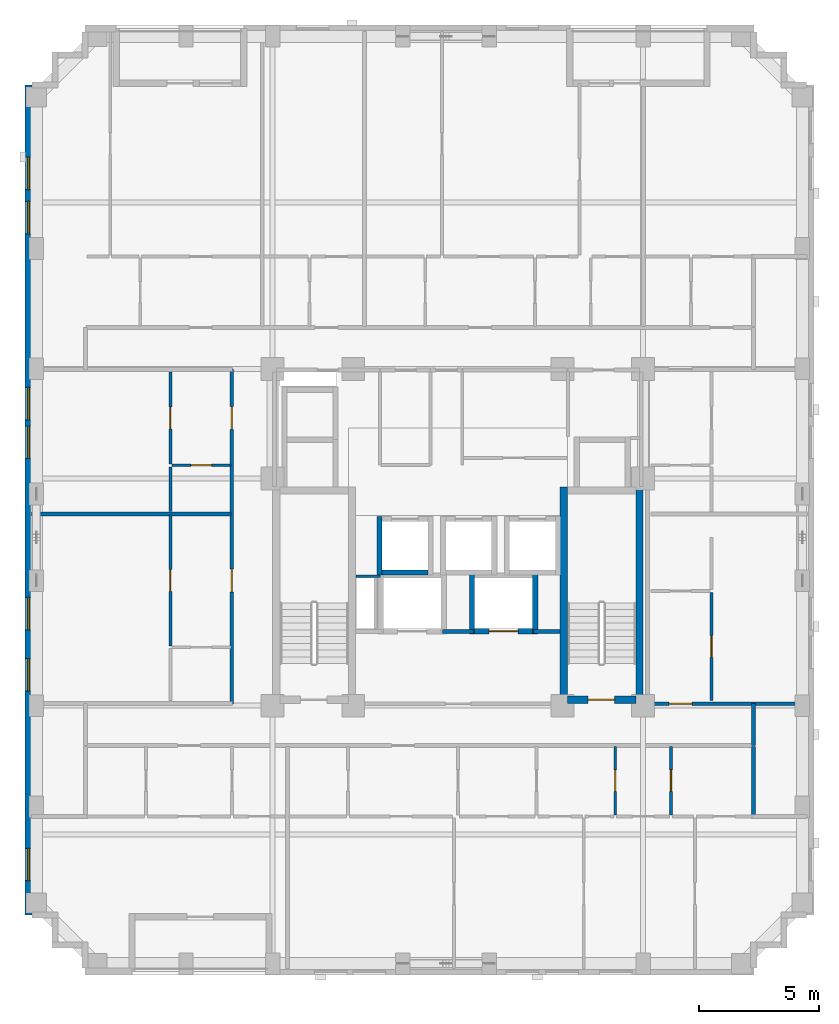
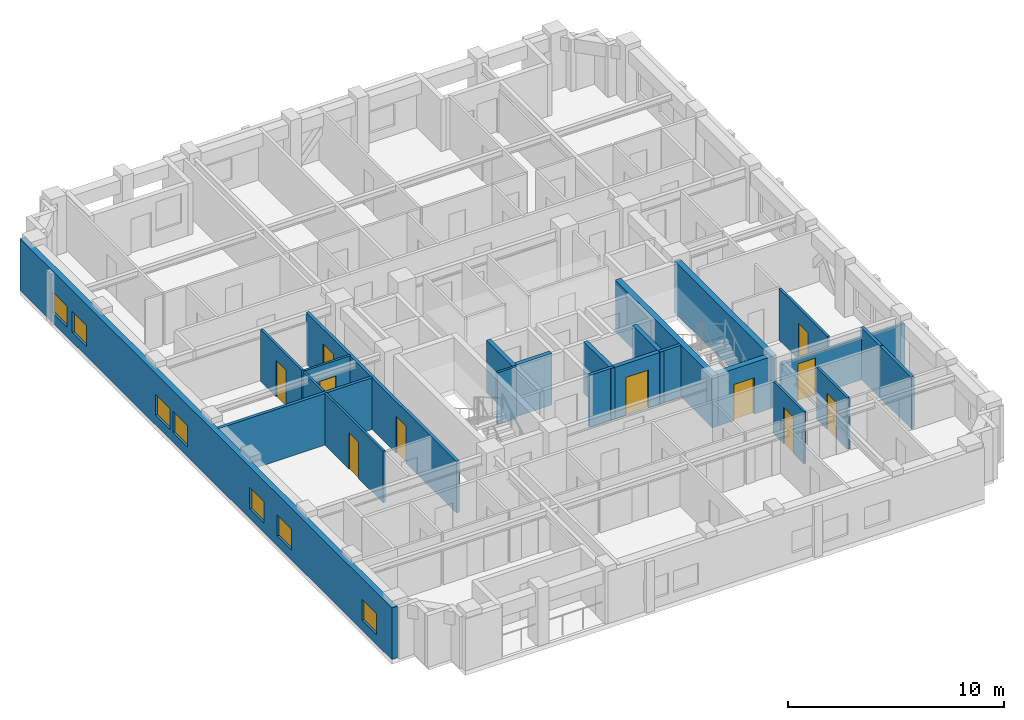
# One storey, part 4 of 11: 24 walls, 11 doors, 7 windows, 18 openings.
"""IFC4 building model written with IfcOpenShell, lengths in metres."""

import ifcopenshell
import ifcopenshell.guid

model = None  # the IFC model being written
_history = None  # IfcOwnerHistory: only IFC2X3 demands one
_inside = {}  # id of a spatial element -> (the spatial element, [elements in it])
_under = {}  # id of a project, library or spatial element -> (it, [spatial elements below it])
_declared = {}  # id of a project -> (the project, [libraries it declares])
_typed = {}  # id of a type object -> (the type object, [elements of that type])
_made_of = {}  # id of a material, layer set ... -> (it, [elements and type objects made of it])


def new_model(schema):
    """Start an empty IFC model of exactly this schema.

    Asked for "IFC4X3", IfcOpenShell would pick the latest addendum, in which some entities
    have other attributes; the version numbers below select the first issue.
    IFC2X3 requires an IfcOwnerHistory on every rooted entity: one is made here for all.
    """
    global model, _history
    if schema == "IFC4X3":
        model = ifcopenshell.file(schema_version=(4, 3, 0, 0))
    else:
        model = ifcopenshell.file(schema=schema)
    _inside.clear()
    _under.clear()
    _declared.clear()
    _typed.clear()
    _made_of.clear()
    _history = None
    if model.schema == "IFC2X3":
        org = make("IfcOrganization", Name="unknown")
        user = make(
            "IfcPersonAndOrganization",
            ThePerson=make("IfcPerson", FamilyName="unknown"),
            TheOrganization=org,
        )
        app = make(
            "IfcApplication",
            ApplicationDeveloper=org,
            Version="unknown",
            ApplicationFullName="unknown",
            ApplicationIdentifier="unknown",
        )
        _history = make(
            "IfcOwnerHistory",
            OwningUser=user,
            OwningApplication=app,
            ChangeAction="ADDED",
            CreationDate=0,
        )
    return model


def make(cls, **values):
    """One entity of the class cls with the attributes given. An attribute that is None is left unset."""
    return model.create_entity(
        cls, **{name: value for name, value in values.items() if value is not None}
    )


def rooted(cls, **values):
    """An entity with a GlobalId (a new one), such as an element, a storey or a relation."""
    return make(cls, GlobalId=ifcopenshell.guid.new(), OwnerHistory=_history, **values)


def si_unit(unit_type, name, prefix=None):
    """IfcSIUnit, for example si_unit("LENGTHUNIT", "METRE", prefix="MILLI")."""
    return make("IfcSIUnit", UnitType=unit_type, Prefix=prefix, Name=name)


def derived_unit(unit_type, elements):
    """IfcDerivedUnit: a product of units, each with its exponent."""
    return make(
        "IfcDerivedUnit",
        Elements=[
            make("IfcDerivedUnitElement", Unit=unit, Exponent=power)
            for unit, power in elements
        ],
        UnitType=unit_type,
    )


def assignment(units):
    """IfcUnitAssignment: the units of a project."""
    return None if units is None else make("IfcUnitAssignment", Units=units)


def point(xyz):
    """IfcCartesianPoint."""
    return None if xyz is None else make("IfcCartesianPoint", Coordinates=xyz)


def direction(xyz):
    """IfcDirection."""
    return None if xyz is None else make("IfcDirection", DirectionRatios=xyz)


def frame(location, z_axis=None, x_axis=None):
    """IfcAxis2Placement3D, a coordinate frame: its origin and axes. An axis left out is left unset."""
    return make(
        "IfcAxis2Placement3D",
        Location=point(location),
        Axis=direction(z_axis),
        RefDirection=direction(x_axis),
    )


def frame_2d(location, x_axis=None):
    """IfcAxis2Placement2D, a coordinate frame in the plane: its origin and x axis."""
    return make(
        "IfcAxis2Placement2D", Location=point(location), RefDirection=direction(x_axis)
    )


def origin():
    """The frame at (0, 0, 0) with its axes left unset."""
    return frame((0.0, 0.0, 0.0))


def place(relative_to, where):
    """IfcLocalPlacement: puts the frame where relative to a parent placement (None: the world)."""
    return make(
        "IfcLocalPlacement", PlacementRelTo=relative_to, RelativePlacement=where
    )


def context(
    kind, dimensions, precision=None, world=None, true_north=None, identifier=None
):
    """IfcGeometricRepresentationContext, for example the 3D "Model" context."""
    return make(
        "IfcGeometricRepresentationContext",
        ContextIdentifier=identifier,
        ContextType=kind,
        CoordinateSpaceDimension=dimensions,
        Precision=precision,
        WorldCoordinateSystem=world,
        TrueNorth=true_north,
    )


def subcontext(parent, identifier, kind, view, scale=None):
    """IfcGeometricRepresentationSubContext, for example "Body" below "Model"."""
    return make(
        "IfcGeometricRepresentationSubContext",
        ContextIdentifier=identifier,
        ContextType=kind,
        ParentContext=parent,
        TargetScale=scale,
        TargetView=view,
    )


def project(units=None, contexts=None):
    """IfcProject with its units and contexts."""
    return rooted(
        "IfcProject",
        Name="project",
        RepresentationContexts=contexts,
        UnitsInContext=assignment(units),
    )


def spatial(cls, under=None, at=None, **own):
    """A site, building, storey or space (cls), placed at a placement, below another one or the project."""
    s = rooted(cls, ObjectPlacement=at, **own)
    if under is not None:
        _under.setdefault(under.id(), (under, []))[1].append(s)
    return s


def profile(cls, at=None, kind="AREA", **sizes):
    """A parametric profile (cls). Its sizes go by their IFC names, for example OverallWidth=200.0."""
    return make(cls, ProfileType=kind, Position=at, **sizes)


def rectangle(**sizes):
    """IfcRectangleProfileDef."""
    return profile("IfcRectangleProfileDef", **sizes)


def extrude(swept, where, along, depth):
    """IfcExtrudedAreaSolid: the profile swept, set in the frame where, extruded along a direction by depth."""
    return make(
        "IfcExtrudedAreaSolid",
        SweptArea=swept,
        Position=where,
        ExtrudedDirection=direction(along),
        Depth=depth,
    )


def shape(context_of_items, identifier, shape_type, items):
    """IfcShapeRepresentation: the items that make up one representation, for example the "Body"."""
    return make(
        "IfcShapeRepresentation",
        ContextOfItems=context_of_items,
        RepresentationIdentifier=identifier,
        RepresentationType=shape_type,
        Items=items,
    )


def material(Name=None, Category=None):
    """IfcMaterial."""
    return make("IfcMaterial", Name=Name, Category=Category)


def layer(
    of_material, thickness, ventilated=None, Name=None, Category=None, Priority=None
):
    """IfcMaterialLayer: one layer of a wall or slab, of a material (None: an air gap)."""
    return make(
        "IfcMaterialLayer",
        Material=of_material,
        LayerThickness=thickness,
        IsVentilated=ventilated,
        Name=Name,
        Category=Category,
        Priority=Priority,
    )


def layer_set(layers, Name=None):
    """IfcMaterialLayerSet."""
    return make("IfcMaterialLayerSet", MaterialLayers=layers, LayerSetName=Name)


def made_of(thing, what):
    """Note that an element or type object is made of a material, layer set ...; save() writes the relation."""
    if what is not None:
        _made_of.setdefault(what.id(), (what, []))[1].append(thing)
    return thing


def type_object(cls, material=None, **own):
    """A type object (cls), such as IfcWallType, which elements share."""
    return made_of(rooted(cls, **own), material)


def element(
    cls,
    number,
    at=None,
    inside=None,
    cuts=None,
    type_object=None,
    material=None,
    context=None,
    identifier="Body",
    shape_type=None,
    held_by="IfcProductDefinitionShape",
    body=None,
    shapes=None,
    **own,
):
    """One element of the class cls, such as IfcWall. Its Tag is "e" and its number.

    at: its placement. inside: the storey or other place that contains it. cuts: it is an
    opening in that element (IfcRelVoidsElement). A single representation is given by context,
    identifier, shape_type and body (its items); several are given by shapes. held_by: the class
    of the entity that holds the representations. save() writes the other relations.
    """
    e = rooted(cls, Tag="e%d" % number, ObjectPlacement=at, **own)
    if body is not None:
        shapes = [shape(context, identifier, shape_type, body)]
    if shapes is not None:
        e.Representation = make(held_by, Representations=shapes)
    if inside is not None:
        _inside.setdefault(inside.id(), (inside, []))[1].append(e)
    if cuts is not None:
        rooted(
            "IfcRelVoidsElement", RelatingBuildingElement=cuts, RelatedOpeningElement=e
        )
    if type_object is not None:
        _typed.setdefault(type_object.id(), (type_object, []))[1].append(e)
    return made_of(e, material)


def fill(opening, filler):
    """IfcRelFillsElement: the door or window that sits in an opening."""
    return rooted(
        "IfcRelFillsElement",
        RelatingOpeningElement=opening,
        RelatedBuildingElement=filler,
    )


def aggregate(whole, parts):
    """IfcRelAggregates: a whole, such as a stair, and the parts it consists of."""
    return rooted("IfcRelAggregates", RelatingObject=whole, RelatedObjects=parts)


def save(model, path):
    """Write the relations noted so far, then the file.

    IfcRelAggregates (storeys below a building ...), IfcRelContainedInSpatialStructure (elements
    in a storey), IfcRelDefinesByType, IfcRelAssociatesMaterial and IfcRelDeclares: one each for
    every whole, place, type object, material and project.
    """
    for whole, parts in _under.values():
        aggregate(whole, parts)
    for where, things in _inside.values():
        rooted(
            "IfcRelContainedInSpatialStructure",
            RelatedElements=things,
            RelatingStructure=where,
        )
    for kind, things in _typed.values():
        rooted("IfcRelDefinesByType", RelatedObjects=things, RelatingType=kind)
    for what, things in _made_of.values():
        rooted("IfcRelAssociatesMaterial", RelatedObjects=things, RelatingMaterial=what)
    for by, libraries in _declared.values():
        rooted("IfcRelDeclares", RelatingContext=by, RelatedDefinitions=libraries)
    model.write(path)


model = new_model("IFC4")

# Units and contexts
model_context = context("Model", 3, precision=1e-05, world=origin(), true_north=direction((0.0, 1.0)))
body_context = subcontext(model_context, "Body", "Model", "MODEL_VIEW")
ifc_project = project(units=[si_unit("LENGTHUNIT", "METRE"), si_unit("AREAUNIT", "SQUARE_METRE"), si_unit("VOLUMEUNIT", "CUBIC_METRE"), si_unit("PLANEANGLEUNIT", "RADIAN"), si_unit("MASSUNIT", "GRAM", prefix="KILO"), derived_unit("THERMALTRANSMITTANCEUNIT", [(si_unit("MASSUNIT", "GRAM", prefix="KILO"), 1), (si_unit("TIMEUNIT", "SECOND"), -3), (si_unit("THERMODYNAMICTEMPERATUREUNIT", "KELVIN"), -1)])], contexts=[model_context])

# Site, building, storey
site_placement = place(None, origin())
site = spatial("IfcSite", under=ifc_project, at=site_placement, CompositionType="ELEMENT")
building_placement = place(site_placement, origin())
building = spatial("IfcBuilding", under=site, at=building_placement, Name="Korrvale Station Residences", CompositionType="ELEMENT")
storey_placement = place(building_placement, frame((0.0, 0.0, 166.64990234375)))
storey = spatial("IfcBuildingStorey", under=building, at=storey_placement, Name="L48", CompositionType="ELEMENT", Elevation=166.64990234375)

# Walls
ifc_material_1 = material(Name="Concrete C60/75", Category="concrete")
ifc_layer_1 = layer(ifc_material_1, 0.300048828125, Name="Concrete C60/75")
ifc_layer_set_1 = layer_set([ifc_layer_1], Name="Concrete C60/75")
wall_type_1 = type_object("IfcWallType", Name="WAL-CORE-300-C60", PredefinedType="SHEAR", material=ifc_layer_set_1)
for number, where, z_axis, x_axis, name in (
    (1, (29.89990234375, 15.10009765625, 0.0), (0.0, 0.0, 1.0), (0.0, 1.0, 0.0), "L48 ST-2 Core Shear Wall West"),
    (2, (33.050048828125, 15.10009765625, 0.0), (0.0, 0.0, 1.0), (0.0, 1.0, 0.0), "L48 ST-2 Core Shear Wall East"),
):
    element("IfcWall", number, at=place(storey_placement, frame(where, z_axis=z_axis, x_axis=x_axis)), inside=storey, type_object=wall_type_1, Name=name, PredefinedType="SHEAR", context=body_context, shape_type="SweptSolid", body=[
        extrude(rectangle(XDim=9.0, YDim=0.300048828125, at=frame_2d((4.5, 0.0))), origin(), (0.0, 0.0, 1.0), 2.93017578125),
    ])

# Wall, opening, door
wall_1_placement = place(storey_placement, frame((30.050048828125, 15.25, 0.0), z_axis=(0.0, 0.0, 1.0), x_axis=(1.0, 0.0, 0.0)))
wall_1 = element("IfcWall", 3, at=wall_1_placement, inside=storey, type_object=wall_type_1, Name="L48 ST-2 Core Shear Wall South", PredefinedType="SHEAR", context=body_context, shape_type="SweptSolid", body=[
    extrude(rectangle(XDim=2.849853515625, YDim=0.300048828125, at=frame_2d((1.4248046875, 0.0))), origin(), (0.0, 0.0, 1.0), 2.93017578125),
])
opening_1_placement = place(wall_1_placement, frame((0.860107421875, 0.0, 0.0)))
opening_1 = element("IfcOpeningElement", 4, at=opening_1_placement, cuts=wall_1, Name="Opening SD-1100", PredefinedType="OPENING", context=body_context, shape_type="SweptSolid", body=[
    extrude(rectangle(XDim=1.10009765625, YDim=2.050048828125, at=frame_2d((0.550048828125, 1.02490234375))), frame((0.0, 0.16015625, 0.0), z_axis=(0.0, -1.0, 0.0), x_axis=(1.0, 0.0, 0.0)), (0.0, 0.0, 1.0), 0.320068359375),
])
ifc_material_2 = material(Name="Hollow-metal fire-rated stair door with closer", Category="steel")
door_type_1 = type_object("IfcDoorType", Name="DR-STAIR-1100", OperationType="NOTDEFINED", PredefinedType="DOOR", material=ifc_material_2)
door_1_placement = place(opening_1_placement, origin())
door_1 = element("IfcDoor", 5, at=door_1_placement, inside=storey, type_object=door_type_1, Name="L48 ST-2 Exit Stair Door", OperationType="SINGLE_SWING_RIGHT", OverallHeight=2.050048828125, OverallWidth=1.10009765625, PredefinedType="DOOR", context=body_context, shape_type="SweptSolid", body=[
    extrude(rectangle(XDim=1.10009765625, YDim=2.050048828125, at=frame_2d((0.550048828125, 1.02490234375))), frame((0.0, 0.02490234375, 0.0), z_axis=(0.0, -1.0, 0.0), x_axis=(1.0, 0.0, 0.0)), (0.0, 0.0, 1.0), 0.050048828125),
])
fill(opening_1, door_1)

# Wall, openings, windows
ifc_material_3 = material(Name="Precast concrete C45/55", Category="concrete")
ifc_layer_2 = layer(ifc_material_3, 0.300048828125, Name="Precast concrete C45/55")
ifc_layer_set_2 = layer_set([ifc_layer_2], Name="Precast concrete C45/55")
wall_type_2 = type_object("IfcWallType", Name="WAL-EXT-PC300", PredefinedType="SOLIDWALL", material=ifc_layer_set_2)
wall_2_placement = place(storey_placement, frame((7.64990234375, 6.300048828125, 0.0), z_axis=(0.0, 0.0, 1.0), x_axis=(0.0, 1.0, 0.0)))
wall_2 = element("IfcWall", 6, at=wall_2_placement, inside=storey, type_object=wall_type_2, Name="L48 West Exterior Precast Wall 1", PredefinedType="SOLIDWALL", context=body_context, shape_type="SweptSolid", body=[
    extrude(rectangle(XDim=34.5, YDim=0.300048828125, at=frame_2d((17.25, 0.0))), origin(), (0.0, 0.0, 1.0), 2.93017578125),
])
opening_2_placement = place(wall_2_placement, frame((1.425048828125, 0.0, 0.550048828125)))
opening_2 = element("IfcOpeningElement", 7, at=opening_2_placement, cuts=wall_2, Name="Opening W-10", PredefinedType="OPENING", context=body_context, shape_type="SweptSolid", body=[
    extrude(rectangle(XDim=1.35009765625, YDim=1.199951171875, at=frame_2d((0.675048828125, 0.60009765625))), frame((0.0, 0.16015625, 0.0), z_axis=(0.0, -1.0, 0.0), x_axis=(1.0, 0.0, 0.0)), (0.0, 0.0, 1.0), 0.320068359375),
])
opening_3_placement = place(wall_2_placement, frame((30.14990234375, 0.0, 0.550048828125)))
opening_3 = element("IfcOpeningElement", 8, at=opening_3_placement, cuts=wall_2, Name="Opening W-10", PredefinedType="OPENING", context=body_context, shape_type="SweptSolid", body=[
    extrude(rectangle(XDim=1.35009765625, YDim=1.199951171875, at=frame_2d((0.675048828125, 0.60009765625))), frame((0.0, 0.16015625, 0.0), z_axis=(0.0, -1.0, 0.0), x_axis=(1.0, 0.0, 0.0)), (0.0, 0.0, 1.0), 0.320068359375),
])
opening_4_placement = place(wall_2_placement, frame((28.31005859375, 0.0, 0.550048828125)))
opening_4 = element("IfcOpeningElement", 9, at=opening_4_placement, cuts=wall_2, Name="Opening W-10", PredefinedType="OPENING", context=body_context, shape_type="SweptSolid", body=[
    extrude(rectangle(XDim=1.35009765625, YDim=1.199951171875, at=frame_2d((0.675048828125, 0.60009765625))), frame((0.0, 0.16015625, 0.0), z_axis=(0.0, -1.0, 0.0), x_axis=(1.0, 0.0, 0.0)), (0.0, 0.0, 1.0), 0.320068359375),
])
opening_5_placement = place(wall_2_placement, frame((11.85009765625, 0.0, 0.550048828125)))
opening_5 = element("IfcOpeningElement", 10, at=opening_5_placement, cuts=wall_2, Name="Opening W-10", PredefinedType="OPENING", context=body_context, shape_type="SweptSolid", body=[
    extrude(rectangle(XDim=1.35009765625, YDim=1.199951171875, at=frame_2d((0.675048828125, 0.60009765625))), frame((0.0, 0.16015625, 0.0), z_axis=(0.0, -1.0, 0.0), x_axis=(1.0, 0.0, 0.0)), (0.0, 0.0, 1.0), 0.320068359375),
])
opening_6_placement = place(wall_2_placement, frame((9.31005859375, 0.0, 0.550048828125)))
opening_6 = element("IfcOpeningElement", 11, at=opening_6_placement, cuts=wall_2, Name="Opening W-10", PredefinedType="OPENING", context=body_context, shape_type="SweptSolid", body=[
    extrude(rectangle(XDim=1.35009765625, YDim=1.199951171875, at=frame_2d((0.675048828125, 0.60009765625))), frame((0.0, 0.16015625, 0.0), z_axis=(0.0, -1.0, 0.0), x_axis=(1.0, 0.0, 0.0)), (0.0, 0.0, 1.0), 0.320068359375),
])
opening_7_placement = place(wall_2_placement, frame((18.97509765625, 0.0, 0.550048828125)))
opening_7 = element("IfcOpeningElement", 12, at=opening_7_placement, cuts=wall_2, Name="Opening W-10", PredefinedType="OPENING", context=body_context, shape_type="SweptSolid", body=[
    extrude(rectangle(XDim=1.35009765625, YDim=1.199951171875, at=frame_2d((0.675048828125, 0.60009765625))), frame((0.0, 0.16015625, 0.0), z_axis=(0.0, -1.0, 0.0), x_axis=(1.0, 0.0, 0.0)), (0.0, 0.0, 1.0), 0.320068359375),
])
opening_8_placement = place(wall_2_placement, frame((20.5849609375, 0.0, 0.550048828125)))
opening_8 = element("IfcOpeningElement", 13, at=opening_8_placement, cuts=wall_2, Name="Opening W-10", PredefinedType="OPENING", context=body_context, shape_type="SweptSolid", body=[
    extrude(rectangle(XDim=1.35009765625, YDim=1.199951171875, at=frame_2d((0.675048828125, 0.60009765625))), frame((0.0, 0.16015625, 0.0), z_axis=(0.0, -1.0, 0.0), x_axis=(1.0, 0.0, 0.0)), (0.0, 0.0, 1.0), 0.320068359375),
])
ifc_material_4 = material(Name="Thermally broken aluminium frame with triple low-e glazing", Category="aluminium")
window_type = type_object("IfcWindowType", Name="WIN-W10", PartitioningType="SINGLE_PANEL", PredefinedType="WINDOW", material=ifc_material_4)
window_1_placement = place(opening_2_placement, origin())
window_1 = element("IfcWindow", 14, at=window_1_placement, inside=storey, type_object=window_type, Name="L48 Punched Window 01", OverallHeight=1.199951171875, OverallWidth=1.35009765625, PartitioningType="SINGLE_PANEL", PredefinedType="WINDOW", context=body_context, shape_type="SweptSolid", body=[
    extrude(rectangle(XDim=1.35009765625, YDim=1.199951171875, at=frame_2d((0.675048828125, 0.60009765625))), frame((0.0, 0.030029296875, 0.0), z_axis=(0.0, -1.0, 0.0), x_axis=(1.0, 0.0, 0.0)), (0.0, 0.0, 1.0), 0.06005859375),
])
fill(opening_2, window_1)
window_2_placement = place(opening_3_placement, origin())
window_2 = element("IfcWindow", 15, at=window_2_placement, inside=storey, type_object=window_type, Name="L48 Punched Window 08", OverallHeight=1.199951171875, OverallWidth=1.35009765625, PartitioningType="SINGLE_PANEL", PredefinedType="WINDOW", context=body_context, shape_type="SweptSolid", body=[
    extrude(rectangle(XDim=1.35009765625, YDim=1.199951171875, at=frame_2d((0.675048828125, 0.60009765625))), frame((0.0, 0.030029296875, 0.0), z_axis=(0.0, -1.0, 0.0), x_axis=(1.0, 0.0, 0.0)), (0.0, 0.0, 1.0), 0.06005859375),
])
fill(opening_3, window_2)
window_3_placement = place(opening_4_placement, origin())
window_3 = element("IfcWindow", 16, at=window_3_placement, inside=storey, type_object=window_type, Name="L48 Punched Window 09", OverallHeight=1.199951171875, OverallWidth=1.35009765625, PartitioningType="SINGLE_PANEL", PredefinedType="WINDOW", context=body_context, shape_type="SweptSolid", body=[
    extrude(rectangle(XDim=1.35009765625, YDim=1.199951171875, at=frame_2d((0.675048828125, 0.60009765625))), frame((0.0, 0.030029296875, 0.0), z_axis=(0.0, -1.0, 0.0), x_axis=(1.0, 0.0, 0.0)), (0.0, 0.0, 1.0), 0.06005859375),
])
fill(opening_4, window_3)
window_4_placement = place(opening_5_placement, origin())
window_4 = element("IfcWindow", 17, at=window_4_placement, inside=storey, type_object=window_type, Name="L48 Punched Window 16", OverallHeight=1.199951171875, OverallWidth=1.35009765625, PartitioningType="SINGLE_PANEL", PredefinedType="WINDOW", context=body_context, shape_type="SweptSolid", body=[
    extrude(rectangle(XDim=1.35009765625, YDim=1.199951171875, at=frame_2d((0.675048828125, 0.60009765625))), frame((0.0, 0.030029296875, 0.0), z_axis=(0.0, -1.0, 0.0), x_axis=(1.0, 0.0, 0.0)), (0.0, 0.0, 1.0), 0.06005859375),
])
fill(opening_5, window_4)
window_5_placement = place(opening_6_placement, origin())
window_5 = element("IfcWindow", 18, at=window_5_placement, inside=storey, type_object=window_type, Name="L48 Punched Window 17", OverallHeight=1.199951171875, OverallWidth=1.35009765625, PartitioningType="SINGLE_PANEL", PredefinedType="WINDOW", context=body_context, shape_type="SweptSolid", body=[
    extrude(rectangle(XDim=1.35009765625, YDim=1.199951171875, at=frame_2d((0.675048828125, 0.60009765625))), frame((0.0, 0.030029296875, 0.0), z_axis=(0.0, -1.0, 0.0), x_axis=(1.0, 0.0, 0.0)), (0.0, 0.0, 1.0), 0.06005859375),
])
fill(opening_6, window_5)
window_6_placement = place(opening_7_placement, origin())
window_6 = element("IfcWindow", 19, at=window_6_placement, inside=storey, type_object=window_type, Name="L48 Punched Window 18", OverallHeight=1.199951171875, OverallWidth=1.35009765625, PartitioningType="SINGLE_PANEL", PredefinedType="WINDOW", context=body_context, shape_type="SweptSolid", body=[
    extrude(rectangle(XDim=1.35009765625, YDim=1.199951171875, at=frame_2d((0.675048828125, 0.60009765625))), frame((0.0, 0.030029296875, 0.0), z_axis=(0.0, -1.0, 0.0), x_axis=(1.0, 0.0, 0.0)), (0.0, 0.0, 1.0), 0.06005859375),
])
fill(opening_7, window_6)
window_7_placement = place(opening_8_placement, origin())
window_7 = element("IfcWindow", 20, at=window_7_placement, inside=storey, type_object=window_type, Name="L48 Punched Window 19", OverallHeight=1.199951171875, OverallWidth=1.35009765625, PartitioningType="SINGLE_PANEL", PredefinedType="WINDOW", context=body_context, shape_type="SweptSolid", body=[
    extrude(rectangle(XDim=1.35009765625, YDim=1.199951171875, at=frame_2d((0.675048828125, 0.60009765625))), frame((0.0, 0.030029296875, 0.0), z_axis=(0.0, -1.0, 0.0), x_axis=(1.0, 0.0, 0.0)), (0.0, 0.0, 1.0), 0.06005859375),
])
fill(opening_8, window_7)

# Wall
ifc_material_5 = material(Name="Acoustic steel-stud gypsum board partition", Category="steel")
ifc_layer_3 = layer(ifc_material_5, 0.1201171875, Name="Acoustic steel-stud gypsum board partition")
ifc_layer_set_3 = layer_set([ifc_layer_3], Name="Acoustic steel-stud gypsum board partition")
wall_type_3 = type_object("IfcWallType", Name="WAL-PART-125", PredefinedType="PARTITIONING", material=ifc_layer_set_3)
wall_3_placement = place(storey_placement, frame((22.280029296875, 20.3798828125, 0.0), z_axis=(0.0, 0.0, 1.0), x_axis=(-1.0, 0.0, 0.0)))
element("IfcWall", 21, at=wall_3_placement, inside=storey, type_object=wall_type_3, Name="L48 Core Partition CW-RSWT-N", PredefinedType="PARTITIONING", context=body_context, shape_type="SweptSolid", body=[
    extrude(rectangle(XDim=1.02001953125, YDim=0.1201171875, at=frame_2d((0.510009765625, 0.0))), origin(), (0.0, 0.0, 1.0), 2.93017578125),
])

# Wall, opening, door
wall_4_placement = place(storey_placement, frame((32.0400390625, 10.4599609375, 0.0), z_axis=(0.0, 0.0, 1.0), x_axis=(0.0, 1.0, 0.0)))
wall_4 = element("IfcWall", 22, at=wall_4_placement, inside=storey, type_object=wall_type_3, Name="L48 Suite Partition U02-V34", PredefinedType="PARTITIONING", context=body_context, shape_type="SweptSolid", body=[
    extrude(rectangle(XDim=2.85009765625, YDim=0.1201171875, at=frame_2d((1.425048828125, 0.0))), origin(), (0.0, 0.0, 1.0), 2.93017578125),
])
opening_9_placement = place(wall_4_placement, frame((0.97509765625, 0.0, 0.0)))
opening_9 = element("IfcOpeningElement", 23, at=opening_9_placement, cuts=wall_4, Name="Opening DI-900", PredefinedType="OPENING", context=body_context, shape_type="SweptSolid", body=[
    extrude(rectangle(XDim=0.89990234375, YDim=2.050048828125, at=frame_2d((0.449951171875, 1.02490234375))), frame((0.0, 0.070068359375, 0.0), z_axis=(0.0, -1.0, 0.0), x_axis=(1.0, 0.0, 0.0)), (0.0, 0.0, 1.0), 0.14013671875),
])
ifc_material_6 = material(Name="Painted solid-core timber interior room door", Category="wood")
door_type_2 = type_object("IfcDoorType", Name="DR-INT-900", OperationType="NOTDEFINED", PredefinedType="DOOR", material=ifc_material_6)
door_2_placement = place(opening_9_placement, origin())
door_2 = element("IfcDoor", 24, at=door_2_placement, inside=storey, type_object=door_type_2, Name="L48 Apartment 2BR L48-U02 Home Study Room Door", OperationType="SINGLE_SWING_LEFT", OverallHeight=2.050048828125, OverallWidth=0.89990234375, PredefinedType="DOOR", context=body_context, shape_type="SweptSolid", body=[
    extrude(rectangle(XDim=0.89990234375, YDim=2.050048828125, at=frame_2d((0.449951171875, 1.02490234375))), frame((0.0, 0.02490234375, 0.0), z_axis=(0.0, -1.0, 0.0), x_axis=(1.0, 0.0, 0.0)), (0.0, 0.0, 1.0), 0.050048828125),
])
fill(opening_9, door_2)

wall_5_placement = place(storey_placement, frame((34.360107421875, 10.4599609375, 0.0), z_axis=(0.0, 0.0, 1.0), x_axis=(0.0, 1.0, 0.0)))
wall_5 = element("IfcWall", 25, at=wall_5_placement, inside=storey, type_object=wall_type_3, Name="L48 Suite Partition U02-V45", PredefinedType="PARTITIONING", context=body_context, shape_type="SweptSolid", body=[
    extrude(rectangle(XDim=2.85009765625, YDim=0.1201171875, at=frame_2d((1.425048828125, 0.0))), origin(), (0.0, 0.0, 1.0), 2.93017578125),
])
opening_10_placement = place(wall_5_placement, frame((0.97509765625, 0.0, 0.0)))
opening_10 = element("IfcOpeningElement", 26, at=opening_10_placement, cuts=wall_5, Name="Opening DI-900", PredefinedType="OPENING", context=body_context, shape_type="SweptSolid", body=[
    extrude(rectangle(XDim=0.89990234375, YDim=2.050048828125, at=frame_2d((0.449951171875, 1.02490234375))), frame((0.0, 0.070068359375, 0.0), z_axis=(0.0, -1.0, 0.0), x_axis=(1.0, 0.0, 0.0)), (0.0, 0.0, 1.0), 0.14013671875),
])
door_3_placement = place(opening_10_placement, origin())
door_3 = element("IfcDoor", 27, at=door_3_placement, inside=storey, type_object=door_type_2, Name="L48 Apartment 2BR L48-U02 Wardrobe Storage Room Door", OperationType="SINGLE_SWING_RIGHT", OverallHeight=2.050048828125, OverallWidth=0.89990234375, PredefinedType="DOOR", context=body_context, shape_type="SweptSolid", body=[
    extrude(rectangle(XDim=0.89990234375, YDim=2.050048828125, at=frame_2d((0.449951171875, 1.02490234375))), frame((0.0, 0.02490234375, 0.0), z_axis=(0.0, -1.0, 0.0), x_axis=(1.0, 0.0, 0.0)), (0.0, 0.0, 1.0), 0.050048828125),
])
fill(opening_10, door_3)

wall_6_placement = place(storey_placement, frame((13.550048828125, 17.489013671875, 0.0), z_axis=(0.0, 0.0, 1.0), x_axis=(0.0, 1.0, 0.0)))
wall_6 = element("IfcWall", 28, at=wall_6_placement, inside=storey, type_object=wall_type_3, Name="L48 Suite Partition U07-V12", PredefinedType="PARTITIONING", context=body_context, shape_type="SweptSolid", body=[
    extrude(rectangle(XDim=5.43310546875, YDim=0.1201171875, at=frame_2d((2.716552734375, 0.0))), origin(), (0.0, 0.0, 1.0), 2.93017578125),
])
opening_11_placement = place(wall_6_placement, frame((2.26611328125, 0.0, 0.0)))
opening_11 = element("IfcOpeningElement", 29, at=opening_11_placement, cuts=wall_6, Name="Opening DI-900", PredefinedType="OPENING", context=body_context, shape_type="SweptSolid", body=[
    extrude(rectangle(XDim=0.89990234375, YDim=2.050048828125, at=frame_2d((0.449951171875, 1.02490234375))), frame((0.0, 0.070068359375, 0.0), z_axis=(0.0, -1.0, 0.0), x_axis=(1.0, 0.0, 0.0)), (0.0, 0.0, 1.0), 0.14013671875),
])
door_4_placement = place(opening_11_placement, origin())
door_4 = element("IfcDoor", 30, at=door_4_placement, inside=storey, type_object=door_type_2, Name="L48 Apartment 1BR L48-U07 Kitchen Door", OperationType="SINGLE_SWING_RIGHT", OverallHeight=2.050048828125, OverallWidth=0.89990234375, PredefinedType="DOOR", context=body_context, shape_type="SweptSolid", body=[
    extrude(rectangle(XDim=0.89990234375, YDim=2.050048828125, at=frame_2d((0.449951171875, 1.02490234375))), frame((0.0, 0.02490234375, 0.0), z_axis=(0.0, -1.0, 0.0), x_axis=(1.0, 0.0, 0.0)), (0.0, 0.0, 1.0), 0.050048828125),
])
fill(opening_11, door_4)

wall_7_placement = place(storey_placement, frame((13.610107421875, 24.991943359375, 0.0), z_axis=(0.0, 0.0, 1.0), x_axis=(1.0, 0.0, 0.0)))
wall_7 = element("IfcWall", 31, at=wall_7_placement, inside=storey, type_object=wall_type_3, Name="L48 Suite Partition U08-H01", PredefinedType="PARTITIONING", context=body_context, shape_type="SweptSolid", body=[
    extrude(rectangle(XDim=2.449951171875, YDim=0.1201171875, at=frame_2d((1.22509765625, 0.0))), origin(), (0.0, 0.0, 1.0), 2.93017578125),
])
opening_12_placement = place(wall_7_placement, frame((0.794921875, 0.0, 0.0)))
opening_12 = element("IfcOpeningElement", 32, at=opening_12_placement, cuts=wall_7, Name="Opening DB-860", PredefinedType="OPENING", context=body_context, shape_type="SweptSolid", body=[
    extrude(rectangle(XDim=0.860107421875, YDim=2.050048828125, at=frame_2d((0.43017578125, 1.02490234375))), frame((0.0, 0.070068359375, 0.0), z_axis=(0.0, -1.0, 0.0), x_axis=(1.0, 0.0, 0.0)), (0.0, 0.0, 1.0), 0.14013671875),
])
ifc_material_7 = material(Name="Moisture-resistant solid-core bathroom door", Category="timber")
door_type_3 = type_object("IfcDoorType", Name="DR-BATH-860", OperationType="NOTDEFINED", PredefinedType="DOOR", material=ifc_material_7)
door_5_placement = place(opening_12_placement, origin())
door_5 = element("IfcDoor", 33, at=door_5_placement, inside=storey, type_object=door_type_3, Name="L48 Apartment 1BR L48-U08 Bathroom Door", OperationType="SINGLE_SWING_LEFT", OverallHeight=2.050048828125, OverallWidth=0.860107421875, PredefinedType="DOOR", context=body_context, shape_type="SweptSolid", body=[
    extrude(rectangle(XDim=0.860107421875, YDim=2.050048828125, at=frame_2d((0.43017578125, 1.02490234375))), frame((0.0, 0.02490234375, 0.0), z_axis=(0.0, -1.0, 0.0), x_axis=(1.0, 0.0, 0.0)), (0.0, 0.0, 1.0), 0.050048828125),
])
fill(opening_12, door_5)

# Wall
wall_8_placement = place(storey_placement, frame((13.550048828125, 23.08203125, 0.0), z_axis=(0.0, 0.0, 1.0), x_axis=(0.0, 1.0, 0.0)))
element("IfcWall", 34, at=wall_8_placement, inside=storey, type_object=wall_type_3, Name="L48 Suite Partition U08-V02", PredefinedType="PARTITIONING", context=body_context, shape_type="SweptSolid", body=[
    extrude(rectangle(XDim=1.849853515625, YDim=0.1201171875, at=frame_2d((0.9248046875, 0.0))), origin(), (0.0, 0.0, 1.0), 2.93017578125),
])

# Wall, opening, door
wall_9_placement = place(storey_placement, frame((13.550048828125, 25.052001953125, 0.0), z_axis=(0.0, 0.0, 1.0), x_axis=(0.0, 1.0, 0.0)))
wall_9 = element("IfcWall", 35, at=wall_9_placement, inside=storey, type_object=wall_type_3, Name="L48 Suite Partition U08-V12", PredefinedType="PARTITIONING", context=body_context, shape_type="SweptSolid", body=[
    extrude(rectangle(XDim=3.80810546875, YDim=0.1201171875, at=frame_2d((1.904052734375, 0.0))), origin(), (0.0, 0.0, 1.0), 2.93017578125),
])
opening_13_placement = place(wall_9_placement, frame((1.4541015625, 0.0, 0.0)))
opening_13 = element("IfcOpeningElement", 36, at=opening_13_placement, cuts=wall_9, Name="Opening DI-900", PredefinedType="OPENING", context=body_context, shape_type="SweptSolid", body=[
    extrude(rectangle(XDim=0.89990234375, YDim=2.050048828125, at=frame_2d((0.449951171875, 1.02490234375))), frame((0.0, 0.070068359375, 0.0), z_axis=(0.0, -1.0, 0.0), x_axis=(1.0, 0.0, 0.0)), (0.0, 0.0, 1.0), 0.14013671875),
])
door_6_placement = place(opening_13_placement, origin())
door_6 = element("IfcDoor", 37, at=door_6_placement, inside=storey, type_object=door_type_2, Name="L48 Apartment 1BR L48-U08 Kitchen Door", OperationType="SINGLE_SWING_RIGHT", OverallHeight=2.050048828125, OverallWidth=0.89990234375, PredefinedType="DOOR", context=body_context, shape_type="SweptSolid", body=[
    extrude(rectangle(XDim=0.89990234375, YDim=2.050048828125, at=frame_2d((0.449951171875, 1.02490234375))), frame((0.0, 0.02490234375, 0.0), z_axis=(0.0, -1.0, 0.0), x_axis=(1.0, 0.0, 0.0)), (0.0, 0.0, 1.0), 0.050048828125),
])
fill(opening_13, door_6)

wall_10_placement = place(storey_placement, frame((36.0400390625, 15.2099609375, 0.0), z_axis=(0.0, 0.0, 1.0), x_axis=(0.0, 1.0, 0.0)))
wall_10 = element("IfcWall", 38, at=wall_10_placement, inside=storey, type_object=wall_type_3, Name="L48 Suite Partition U09-V12", PredefinedType="PARTITIONING", context=body_context, shape_type="SweptSolid", body=[
    extrude(rectangle(XDim=4.5, YDim=0.1201171875, at=frame_2d((2.25, 0.0))), origin(), (0.0, 0.0, 1.0), 2.93017578125),
])
opening_14_placement = place(wall_10_placement, frame((1.800048828125, 0.0, 0.0)))
opening_14 = element("IfcOpeningElement", 39, at=opening_14_placement, cuts=wall_10, Name="Opening DI-900", PredefinedType="OPENING", context=body_context, shape_type="SweptSolid", body=[
    extrude(rectangle(XDim=0.89990234375, YDim=2.050048828125, at=frame_2d((0.449951171875, 1.02490234375))), frame((0.0, 0.070068359375, 0.0), z_axis=(0.0, -1.0, 0.0), x_axis=(1.0, 0.0, 0.0)), (0.0, 0.0, 1.0), 0.14013671875),
])
door_7_placement = place(opening_14_placement, origin())
door_7 = element("IfcDoor", 40, at=door_7_placement, inside=storey, type_object=door_type_2, Name="L48 Apartment 1BR L48-U09 Kitchen Door", OperationType="SINGLE_SWING_LEFT", OverallHeight=2.050048828125, OverallWidth=0.89990234375, PredefinedType="DOOR", context=body_context, shape_type="SweptSolid", body=[
    extrude(rectangle(XDim=0.89990234375, YDim=2.050048828125, at=frame_2d((0.449951171875, 1.02490234375))), frame((0.0, 0.02490234375, 0.0), z_axis=(0.0, -1.0, 0.0), x_axis=(1.0, 0.0, 0.0)), (0.0, 0.0, 1.0), 0.050048828125),
])
fill(opening_14, door_7)

# Walls
ifc_material_8 = material(Name="Fire-rated twin-stud gypsum and mineral wool shaftwall assembly", Category="gypsum")
ifc_layer_4 = layer(ifc_material_8, 0.159912109375, Name="Fire-rated twin-stud gypsum and mineral wool shaftwall assembly")
ifc_layer_set_4 = layer_set([ifc_layer_4], Name="Fire-rated twin-stud gypsum and mineral wool shaftwall assembly")
wall_type_4 = type_object("IfcWallType", Name="WAL-PART-200", PredefinedType="PARTITIONING", material=ifc_layer_set_4)
wall_11_placement = place(storey_placement, frame((24.85009765625, 18.080078125, 0.0), z_axis=(0.0, 0.0, 1.0), x_axis=(1.0, 0.0, 0.0)))
element("IfcWall", 41, at=wall_11_placement, inside=storey, type_object=wall_type_4, Name="L48 Core Partition CW-FFL-N2", PredefinedType="PARTITIONING", context=body_context, shape_type="SweptSolid", body=[
    extrude(rectangle(XDim=1.2998046875, YDim=0.159912109375, at=frame_2d((0.64990234375, 0.0))), origin(), (0.0, 0.0, 1.0), 2.93017578125),
])
wall_12_placement = place(storey_placement, frame((28.64990234375, 18.080078125, 0.0), z_axis=(0.0, 0.0, 1.0), x_axis=(1.0, 0.0, 0.0)))
element("IfcWall", 42, at=wall_12_placement, inside=storey, type_object=wall_type_4, Name="L48 Core Partition CW-FFL-N3", PredefinedType="PARTITIONING", context=body_context, shape_type="SweptSolid", body=[
    extrude(rectangle(XDim=1.10009765625, YDim=0.159912109375, at=frame_2d((0.550048828125, 0.0))), origin(), (0.0, 0.0, 1.0), 2.93017578125),
])
wall_13_placement = place(storey_placement, frame((37.780029296875, 13.35009765625, 0.0), z_axis=(0.0, 0.0, 1.0), x_axis=(0.0, 1.0, 0.0)))
element("IfcWall", 43, at=wall_13_placement, inside=storey, type_object=wall_type_4, Name="L48 Corridor South East Cap", PredefinedType="PARTITIONING", context=body_context, shape_type="SweptSolid", body=[
    extrude(rectangle(XDim=1.739990234375, YDim=0.159912109375, at=frame_2d((0.8701171875, 0.0))), origin(), (0.0, 0.0, 1.0), 2.93017578125),
])
wall_14_placement = place(storey_placement, frame((37.780029296875, 10.39990234375, 0.0), z_axis=(0.0, 0.0, 1.0), x_axis=(0.0, 1.0, 0.0)))
element("IfcWall", 44, at=wall_14_placement, inside=storey, type_object=wall_type_4, Name="L48 Corner Step Cheek U02-R", PredefinedType="PARTITIONING", context=body_context, shape_type="SweptSolid", body=[
    extrude(rectangle(XDim=2.91015625, YDim=0.159912109375, at=frame_2d((1.455078125, 0.0))), origin(), (0.0, 0.0, 1.0), 2.93017578125),
])
wall_15_placement = place(storey_placement, frame((7.780029296875, 22.9619140625, 0.0), z_axis=(0.0, 0.0, 1.0), x_axis=(1.0, 0.0, 0.0)))
element("IfcWall", 45, at=wall_15_placement, inside=storey, type_object=wall_type_4, Name="L48 Demising Wall U07-N", PredefinedType="PARTITIONING", context=body_context, shape_type="SweptSolid", body=[
    extrude(rectangle(XDim=8.280029296875, YDim=0.159912109375, at=frame_2d((4.14013671875, 0.0))), origin(), (0.0, 0.0, 1.0), 2.93017578125),
])

# Wall, opening, door
wall_16_placement = place(storey_placement, frame((33.3798828125, 15.080078125, 0.0), z_axis=(0.0, 0.0, 1.0), x_axis=(1.0, 0.0, 0.0)))
wall_16 = element("IfcWall", 46, at=wall_16_placement, inside=storey, type_object=wall_type_4, Name="L48 Side Suite South Entry Wall U09", PredefinedType="PARTITIONING", context=body_context, shape_type="SweptSolid", body=[
    extrude(rectangle(XDim=6.64013671875, YDim=0.159912109375, at=frame_2d((3.320068359375, 0.0))), origin(), (0.0, 0.0, 1.0), 2.382080078125),
])
opening_15_placement = place(wall_16_placement, frame((0.89990234375, 0.0, 0.0)))
opening_15 = element("IfcOpeningElement", 47, at=opening_15_placement, cuts=wall_16, Name="Opening UD-950", PredefinedType="OPENING", context=body_context, shape_type="SweptSolid", body=[
    extrude(rectangle(XDim=0.949951171875, YDim=2.10009765625, at=frame_2d((0.47509765625, 1.050048828125))), frame((0.0, 0.08984375, 0.0), z_axis=(0.0, -1.0, 0.0), x_axis=(1.0, 0.0, 0.0)), (0.0, 0.0, 1.0), 0.179931640625),
])
ifc_material_9 = material(Name="Solid-core acoustic oak apartment entrance door", Category="timber")
door_type_4 = type_object("IfcDoorType", Name="DR-UNIT-950", OperationType="NOTDEFINED", PredefinedType="DOOR", material=ifc_material_9)
door_8_placement = place(opening_15_placement, origin())
door_8 = element("IfcDoor", 48, at=door_8_placement, inside=storey, type_object=door_type_4, Name="L48 Apartment L48-U09 Entrance Door", OperationType="SINGLE_SWING_LEFT", OverallHeight=2.10009765625, OverallWidth=0.949951171875, PredefinedType="DOOR", context=body_context, shape_type="SweptSolid", body=[
    extrude(rectangle(XDim=0.949951171875, YDim=2.10009765625, at=frame_2d((0.47509765625, 1.050048828125))), frame((0.0, 0.02490234375, 0.0), z_axis=(0.0, -1.0, 0.0), x_axis=(1.0, 0.0, 0.0)), (0.0, 0.0, 1.0), 0.050048828125),
])
fill(opening_15, door_8)

# Wall, openings, doors
wall_17_placement = place(storey_placement, frame((16.10009765625, 15.070068359375, 0.0), z_axis=(0.0, 0.0, 1.0), x_axis=(0.0, 1.0, 0.0)))
wall_17 = element("IfcWall", 49, at=wall_17_placement, inside=storey, type_object=wall_type_4, Name="L48 Rated Corridor Wall W", PredefinedType="PARTITIONING", context=body_context, shape_type="SweptSolid", body=[
    extrude(rectangle(XDim=13.929931640625, YDim=0.159912109375, at=frame_2d((6.96484375, 0.0))), origin(), (0.0, 0.0, 1.0), 2.93017578125),
])
opening_16_placement = place(wall_17_placement, frame((4.660888671875, 0.0, 0.0)))
opening_16 = element("IfcOpeningElement", 50, at=opening_16_placement, cuts=wall_17, Name="Opening UD-950", PredefinedType="OPENING", context=body_context, shape_type="SweptSolid", body=[
    extrude(rectangle(XDim=0.949951171875, YDim=2.10009765625, at=frame_2d((0.47509765625, 1.050048828125))), frame((0.0, 0.08984375, 0.0), z_axis=(0.0, -1.0, 0.0), x_axis=(1.0, 0.0, 0.0)), (0.0, 0.0, 1.0), 0.179931640625),
])
opening_17_placement = place(wall_17_placement, frame((11.410888671875, 0.0, 0.0)))
opening_17 = element("IfcOpeningElement", 51, at=opening_17_placement, cuts=wall_17, Name="Opening UD-950", PredefinedType="OPENING", context=body_context, shape_type="SweptSolid", body=[
    extrude(rectangle(XDim=0.949951171875, YDim=2.10009765625, at=frame_2d((0.47509765625, 1.050048828125))), frame((0.0, 0.08984375, 0.0), z_axis=(0.0, -1.0, 0.0), x_axis=(1.0, 0.0, 0.0)), (0.0, 0.0, 1.0), 0.179931640625),
])
door_9_placement = place(opening_16_placement, origin())
door_9 = element("IfcDoor", 52, at=door_9_placement, inside=storey, type_object=door_type_4, Name="L48 Apartment L48-U07 Entrance Door", OperationType="SINGLE_SWING_LEFT", OverallHeight=2.10009765625, OverallWidth=0.949951171875, PredefinedType="DOOR", context=body_context, shape_type="SweptSolid", body=[
    extrude(rectangle(XDim=0.949951171875, YDim=2.10009765625, at=frame_2d((0.47509765625, 1.050048828125))), frame((0.0, 0.02490234375, 0.0), z_axis=(0.0, -1.0, 0.0), x_axis=(1.0, 0.0, 0.0)), (0.0, 0.0, 1.0), 0.050048828125),
])
fill(opening_16, door_9)
door_10_placement = place(opening_17_placement, origin())
door_10 = element("IfcDoor", 53, at=door_10_placement, inside=storey, type_object=door_type_4, Name="L48 Apartment L48-U08 Entrance Door", OperationType="SINGLE_SWING_RIGHT", OverallHeight=2.10009765625, OverallWidth=0.949951171875, PredefinedType="DOOR", context=body_context, shape_type="SweptSolid", body=[
    extrude(rectangle(XDim=0.949951171875, YDim=2.10009765625, at=frame_2d((0.47509765625, 1.050048828125))), frame((0.0, 0.02490234375, 0.0), z_axis=(0.0, -1.0, 0.0), x_axis=(1.0, 0.0, 0.0)), (0.0, 0.0, 1.0), 0.050048828125),
])
fill(opening_17, door_10)

# Walls
ifc_layer_5 = layer(ifc_material_1, 0.219970703125, Name="Concrete C60/75")
ifc_layer_set_5 = layer_set([ifc_layer_5], Name="Concrete C60/75")
wall_type_5 = type_object("IfcWallType", Name="WAL-SHAFT-220-C60", PredefinedType="SHEAR", material=ifc_layer_set_5)
wall_18_placement = place(storey_placement, frame((22.35009765625, 20.5400390625, 0.0), z_axis=(0.0, 0.0, 1.0), x_axis=(1.0, 0.0, 0.0)))
element("IfcWall", 54, at=wall_18_placement, inside=storey, type_object=wall_type_5, Name="L48 Elevator PM-1 Hoistway Wall South", PredefinedType="SHEAR", context=body_context, shape_type="SweptSolid", body=[
    extrude(rectangle(XDim=1.89990234375, YDim=0.219970703125, at=frame_2d((0.949951171875, 0.0))), origin(), (0.0, 0.0, 1.0), 2.93017578125),
])
wall_19_placement = place(storey_placement, frame((22.239990234375, 20.429931640625, 0.0), z_axis=(0.0, 0.0, 1.0), x_axis=(0.0, 1.0, 0.0)))
element("IfcWall", 55, at=wall_19_placement, inside=storey, type_object=wall_type_5, Name="L48 Elevator PM-1 Hoistway Wall West", PredefinedType="SHEAR", context=body_context, shape_type="SweptSolid", body=[
    extrude(rectangle(XDim=2.440185546875, YDim=0.219970703125, at=frame_2d((1.22021484375, 0.0))), origin(), (0.0, 0.0, 1.0), 2.93017578125),
])

# Wall, opening, door
wall_20_placement = place(storey_placement, frame((26.199951171875, 18.090087890625, 0.0), z_axis=(0.0, 0.0, 1.0), x_axis=(1.0, 0.0, 0.0)))
wall_20 = element("IfcWall", 56, at=wall_20_placement, inside=storey, type_object=wall_type_5, Name="L48 Elevator FFL-2 Hoistway Wall South", PredefinedType="SHEAR", context=body_context, shape_type="SweptSolid", body=[
    extrude(rectangle(XDim=2.400146484375, YDim=0.219970703125, at=frame_2d((1.2001953125, 0.0))), origin(), (0.0, 0.0, 1.0), 2.93017578125),
])
opening_18_placement = place(wall_20_placement, frame((0.60009765625, 0.0, 0.0)))
opening_18 = element("IfcOpeningElement", 57, at=opening_18_placement, cuts=wall_20, Name="Opening LD-FF1200", PredefinedType="OPENING", context=body_context, shape_type="SweptSolid", body=[
    extrude(rectangle(XDim=1.199951171875, YDim=2.14990234375, at=frame_2d((0.60009765625, 1.074951171875))), frame((0.0, 0.1201171875, 0.0), z_axis=(0.0, -1.0, 0.0), x_axis=(1.0, 0.0, 0.0)), (0.0, 0.0, 1.0), 0.239990234375),
])
ifc_material_10 = material(Name="Stainless-steel firefighter elevator landing sliding door", Category="steel")
door_type_5 = type_object("IfcDoorType", Name="DR-LIFT-FF1200", OperationType="SLIDING_TO_LEFT", PredefinedType="DOOR", material=ifc_material_10)
door_11_placement = place(opening_18_placement, origin())
door_11 = element("IfcDoor", 58, at=door_11_placement, inside=storey, type_object=door_type_5, Name="L48 Elevator FFL-2 Sliding Landing Door", OperationType="SLIDING_TO_LEFT", OverallHeight=2.14990234375, OverallWidth=1.199951171875, PredefinedType="DOOR", context=body_context, shape_type="SweptSolid", body=[
    extrude(rectangle(XDim=1.199951171875, YDim=2.14990234375, at=frame_2d((0.60009765625, 1.074951171875))), frame((0.0, 0.02490234375, 0.0), z_axis=(0.0, -1.0, 0.0), x_axis=(1.0, 0.0, 0.0)), (0.0, 0.0, 1.0), 0.050048828125),
])
fill(opening_18, door_11)

# Walls
for number, where, z_axis, x_axis, name in (
    (59, (26.090087890625, 17.97998046875, 0.0), (0.0, 0.0, 1.0), (0.0, 1.0, 0.0), "L48 Elevator FFL-2 Hoistway Wall West"),
    (60, (28.7099609375, 17.97998046875, 0.0), (0.0, 0.0, 1.0), (0.0, 1.0, 0.0), "L48 Elevator FFL-2 Hoistway Wall East"),
):
    element("IfcWall", number, at=place(storey_placement, frame(where, z_axis=z_axis, x_axis=x_axis)), inside=storey, type_object=wall_type_5, Name=name, PredefinedType="SHEAR", context=body_context, shape_type="SweptSolid", body=[
        extrude(rectangle(XDim=2.5400390625, YDim=0.219970703125, at=frame_2d((1.27001953125, 0.0))), origin(), (0.0, 0.0, 1.0), 2.93017578125),
    ])

save(model, "model.ifc")
